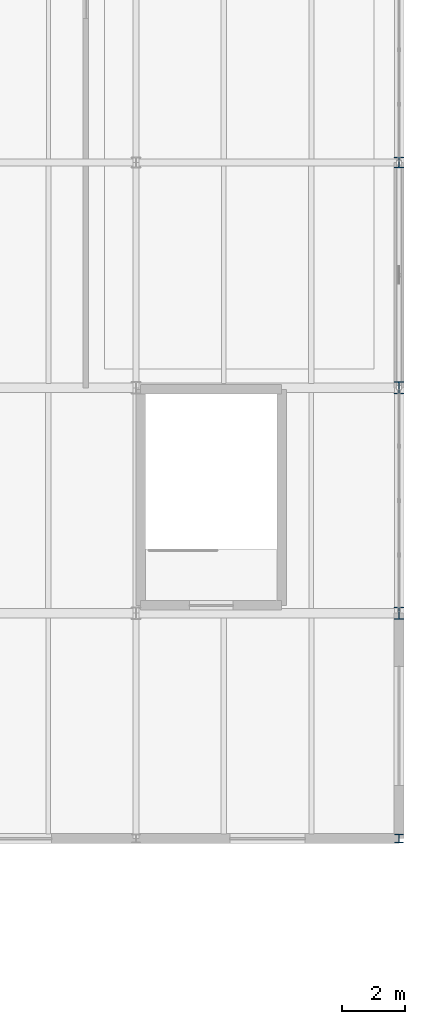
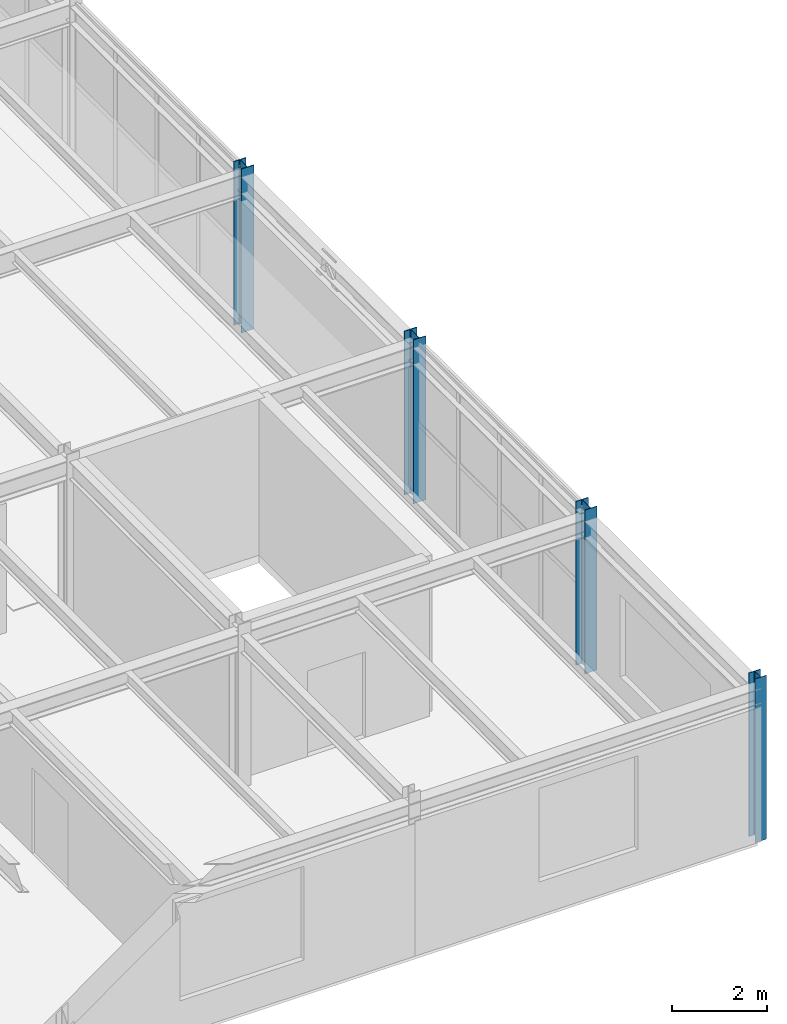
# One storey, part 13 of 73: 4 columns.
"""IFC4 building model written with IfcOpenShell, lengths in metres."""

from ifc_helpers import new_model, si_unit, derived_unit, direction, frame, origin, origin_2d, place, context, subcontext, project, spatial, i_section, extrude, material, material_profile, profile_set, type_object, element, save


model = new_model("IFC4")

# Units and contexts
model_context = context("Model", 3, precision=1e-05, world=origin(), true_north=direction((0.0, 1.0)))
body_context = subcontext(model_context, "Body", "Model", "MODEL_VIEW")
ifc_project = project(units=[si_unit("LENGTHUNIT", "METRE"), si_unit("AREAUNIT", "SQUARE_METRE"), si_unit("VOLUMEUNIT", "CUBIC_METRE"), si_unit("PLANEANGLEUNIT", "RADIAN"), si_unit("MASSUNIT", "GRAM", prefix="KILO"), derived_unit("THERMALTRANSMITTANCEUNIT", [(si_unit("MASSUNIT", "GRAM", prefix="KILO"), 1), (si_unit("TIMEUNIT", "SECOND"), -3), (si_unit("THERMODYNAMICTEMPERATUREUNIT", "KELVIN"), -1)])], contexts=[model_context])

# Site, building, storey
site_placement = place(None, origin())
site = spatial("IfcSite", under=ifc_project, at=site_placement, CompositionType="ELEMENT")
building_placement = place(site_placement, origin())
building = spatial("IfcBuilding", under=site, at=building_placement, Name="Kharveza Railside Sports Centre", CompositionType="ELEMENT")
storey_placement = place(building_placement, frame((0.0, 0.0, 8.699951171875)))
storey = spatial("IfcBuildingStorey", under=building, at=storey_placement, Name="L02", CompositionType="ELEMENT", Elevation=8.699951171875)

# Columns
ifc_material = material(Name="Steel S355J2", Category="steel")
ifc_material_profile_1 = material_profile(ifc_material, i_section(OverallWidth=0.300048828125, OverallDepth=0.340087890625, WebThickness=0.011962890625, FlangeThickness=0.021484375, FilletRadius=0.027099609375, at=origin_2d()), Name="HEB 340")
ifc_profile_set_1 = profile_set([ifc_material_profile_1], Name="Steel S355J2")
column_type_1 = type_object("IfcColumnType", Name="COL-S06", PredefinedType="COLUMN", material=ifc_profile_set_1)
column_1_placement = place(storey_placement, frame((168.0, 28.800048828125, 0.0), z_axis=(0.0, 0.0, 1.0), x_axis=(1.0, 0.0, 0.0)))
element("IfcColumn", 1, at=column_1_placement, inside=storey, type_object=column_type_1, Name="COL-G-C06-X1680-Y288-L02", PredefinedType="COLUMN", context=body_context, shape_type="SweptSolid", body=[
    extrude(i_section(OverallWidth=0.300048828125, OverallDepth=0.340087890625, WebThickness=0.011962890625, FlangeThickness=0.021484375, FilletRadius=0.027099609375, at=origin_2d()), origin(), (0.0, 0.0, 1.0), 4.199951171875),
])
ifc_material_profile_2 = material_profile(ifc_material, i_section(OverallWidth=0.300048828125, OverallDepth=0.389892578125, WebThickness=0.010986328125, FlangeThickness=0.01904296875, FilletRadius=0.027099609375, at=origin_2d()), Name="HEA 400")
ifc_profile_set_2 = profile_set([ifc_material_profile_2], Name="Steel S355J2")
column_type_2 = type_object("IfcColumnType", Name="COL-S10", PredefinedType="COLUMN", material=ifc_profile_set_2)
for number, where, z_axis, x_axis, name in (
    (2, (168.0, 14.39990234375, 0.0), (0.0, 0.0, 1.0), (1.0, 0.0, 0.0), "COL-G-C10-X1680-Y144-L02"),
    (3, (168.0, 21.60009765625, 0.0), (0.0, 0.0, 1.0), (1.0, 0.0, 0.0), "COL-G-C10-X1680-Y216-L02"),
):
    element("IfcColumn", number, at=place(storey_placement, frame(where, z_axis=z_axis, x_axis=x_axis)), inside=storey, type_object=column_type_2, Name=name, PredefinedType="COLUMN", context=body_context, shape_type="SweptSolid", body=[
        extrude(i_section(OverallWidth=0.300048828125, OverallDepth=0.389892578125, WebThickness=0.010986328125, FlangeThickness=0.01904296875, FilletRadius=0.027099609375, at=origin_2d()), origin(), (0.0, 0.0, 1.0), 4.199951171875),
    ])
ifc_material_profile_3 = material_profile(ifc_material, i_section(OverallWidth=0.280029296875, OverallDepth=0.27001953125, WebThickness=0.008056640625, FlangeThickness=0.012939453125, FilletRadius=0.02392578125, at=origin_2d()), Name="HEA 280")
ifc_profile_set_3 = profile_set([ifc_material_profile_3], Name="Steel S355J2")
column_type_3 = type_object("IfcColumnType", Name="COL-S13", PredefinedType="COLUMN", material=ifc_profile_set_3)
column_2_placement = place(storey_placement, frame((168.0, 7.199951171875, 0.0), z_axis=(0.0, 0.0, 1.0), x_axis=(1.0, 0.0, 0.0)))
element("IfcColumn", 4, at=column_2_placement, inside=storey, type_object=column_type_3, Name="COL-G-C13-X1680-Y72-L02", PredefinedType="COLUMN", context=body_context, shape_type="SweptSolid", body=[
    extrude(i_section(OverallWidth=0.280029296875, OverallDepth=0.27001953125, WebThickness=0.008056640625, FlangeThickness=0.012939453125, FilletRadius=0.02392578125, at=origin_2d()), origin(), (0.0, 0.0, 1.0), 4.199951171875),
])

save(model, "model.ifc")
